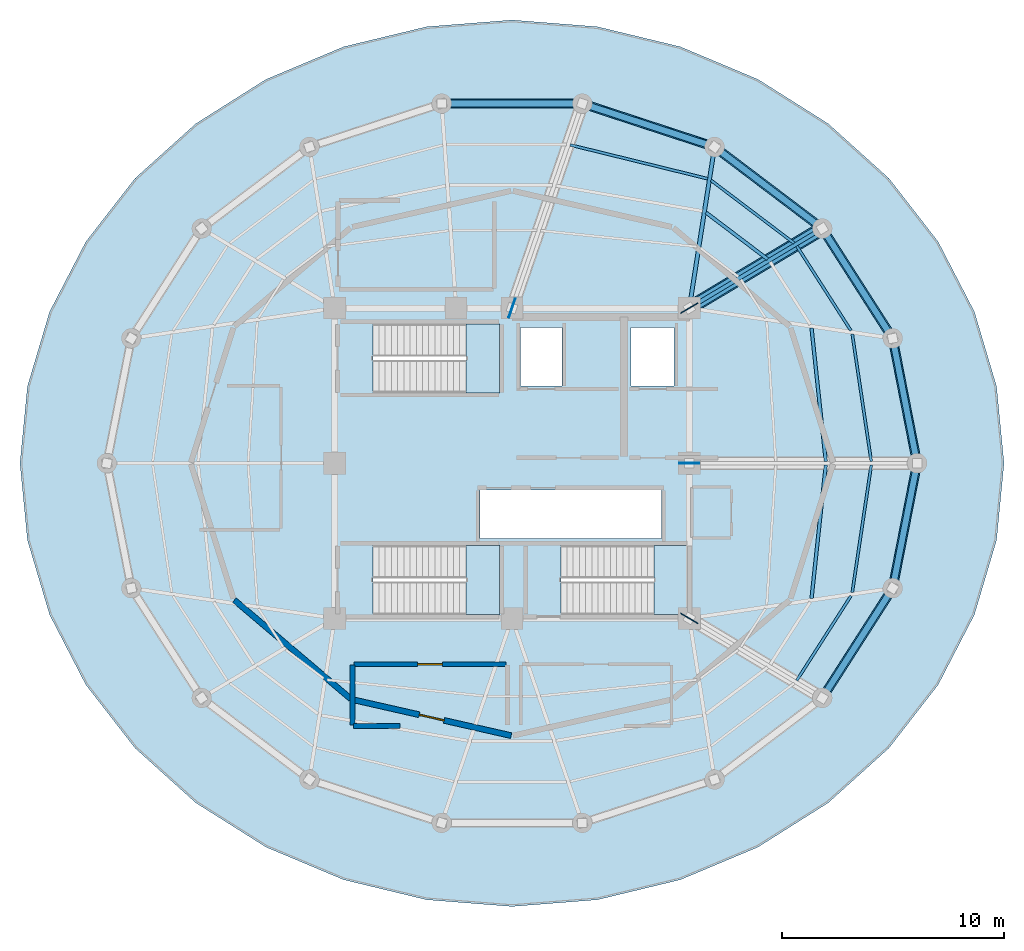
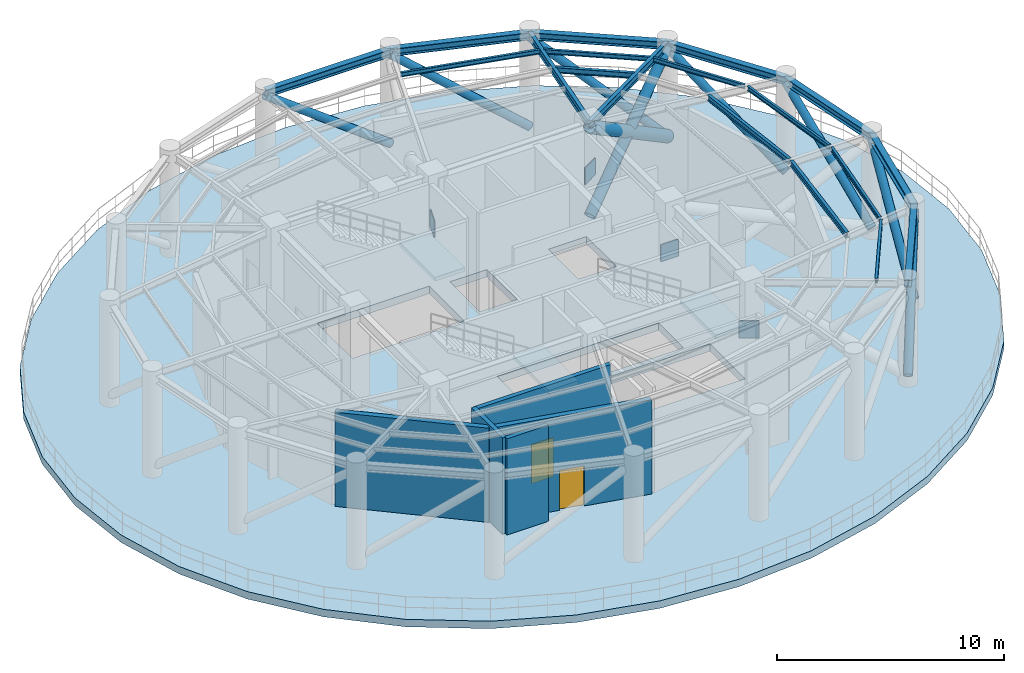
# One storey, part 3 of 8: 18 beams, 9 members, 5 walls, 4 plates, 4 slabs, 2 doors, 2 openings, 3 elements without a shape of their own.
"""IFC4 building model written with IfcOpenShell, lengths in metres."""

from ifc_helpers import new_model, si_unit, direction, frame, frame_2d, origin, origin_2d, place, context, subcontext, project, spatial, polyline, rectangle, hollow_circle, i_section, outline, extrude, source, transform, mapped, material, layer, layer_set, material_profile, profile_set, type_object, element, fill, aggregate, save


model = new_model("IFC4")

# Units and contexts
model_context = context("Model", 3, precision=1e-05, world=origin(), true_north=direction((0.0, 1.0)))
body_context = subcontext(model_context, "Body", "Model", "MODEL_VIEW")
ifc_project = project(units=[si_unit("LENGTHUNIT", "METRE"), si_unit("AREAUNIT", "SQUARE_METRE"), si_unit("VOLUMEUNIT", "CUBIC_METRE"), si_unit("PLANEANGLEUNIT", "RADIAN"), si_unit("MASSUNIT", "GRAM", prefix="KILO")], contexts=[model_context])

# Site, building, storey
site_placement = place(None, origin())
site = spatial("IfcSite", under=ifc_project, at=site_placement, CompositionType="ELEMENT")
building_placement = place(site_placement, origin())
building = spatial("IfcBuilding", under=site, at=building_placement, Name="Kelanora Arch Commons", CompositionType="ELEMENT")
storey_placement = place(building_placement, frame((0.0, 0.0, 242.9599609375)))
storey = spatial("IfcBuildingStorey", under=building, at=storey_placement, Name="L62", CompositionType="ELEMENT", Elevation=242.9599609375)

# Beams
ifc_material_1 = material(Name="Steel S355", Category="steel")
ifc_material_profile_1 = material_profile(ifc_material_1, i_section(OverallWidth=0.14990234375, OverallDepth=0.300048828125, WebThickness=0.007080078125, FlangeThickness=0.0107421875, FilletRadius=0.014892578125, at=origin_2d()), Name="IPE300")
ifc_profile_set_1 = profile_set([ifc_material_profile_1], Name="Steel S355")
beam_type_1 = type_object("IfcBeamType", Name="BM-JST-01", PredefinedType="JOIST", material=ifc_profile_set_1)
beam_1_placement = place(storey_placement, frame((88.158935546875, 58.08447265625, 5.330078125), z_axis=(-0.106380594087, 0.994325484538, 0.0), x_axis=(-0.994325484538, -0.106380594087, 0.0)))
element("IfcBeam", 1, at=beam_1_placement, inside=storey, type_object=beam_type_1, Name="Secondary Chord Joist BJB-00 L62", PredefinedType="JOIST", context=body_context, shape_type="SweptSolid", body=[
    extrude(i_section(OverallWidth=0.14990234375, OverallDepth=0.300048828125, WebThickness=0.007080078125, FlangeThickness=0.0107421875, FilletRadius=0.014892578125, at=origin_2d()), origin(), (0.0, 0.0, 1.0), 6.04736328125),
])
beam_2_placement = place(storey_placement, frame((85.5341796875, 67.20703125, 5.330078125), z_axis=(-0.797499198801, 0.603320004568, 0.0), x_axis=(-0.603320004568, -0.797499198801, 0.0)))
element("IfcBeam", 2, at=beam_2_placement, inside=storey, type_object=beam_type_1, Name="Secondary Chord Joist BJB-04 L62", PredefinedType="JOIST", context=body_context, shape_type="SweptSolid", body=[
    extrude(i_section(OverallWidth=0.14990234375, OverallDepth=0.300048828125, WebThickness=0.007080078125, FlangeThickness=0.0107421875, FilletRadius=0.014892578125, at=origin_2d()), origin(), (0.0, 0.0, 1.0), 3.489013671875),
])
beam_3_placement = place(storey_placement, frame((87.515625, 51.902587890625, 5.330078125), z_axis=(0.106380594087, 0.994325484538, 0.0), x_axis=(-0.994325484538, 0.106380594087, 0.0)))
element("IfcBeam", 3, at=beam_3_placement, inside=storey, type_object=beam_type_1, Name="Secondary Chord Joist BJB-34 L62", PredefinedType="JOIST", context=body_context, shape_type="SweptSolid", body=[
    extrude(i_section(OverallWidth=0.14990234375, OverallDepth=0.300048828125, WebThickness=0.007080078125, FlangeThickness=0.0107421875, FilletRadius=0.014892578125, at=origin_2d()), origin(), (0.0, 0.0, 1.0), 6.04736328125),
])
ifc_material_profile_2 = material_profile(ifc_material_1, i_section(OverallWidth=0.1201171875, OverallDepth=0.239990234375, WebThickness=0.006103515625, FlangeThickness=0.009765625, FilletRadius=0.014892578125, at=origin_2d()), Name="IPE240")
ifc_profile_set_2 = profile_set([ifc_material_profile_2], Name="Steel S355")
beam_type_2 = type_object("IfcBeamType", Name="BM-JST-02", PredefinedType="JOIST", material=ifc_profile_set_2)
beam_4_placement = place(storey_placement, frame((90.21142578125, 58.083984375, 5.360107421875), z_axis=(-0.14762470282, 0.989043450571, 0.0), x_axis=(-0.989043450571, -0.14762470282, 0.0)))
element("IfcBeam", 4, at=beam_4_placement, inside=storey, type_object=beam_type_2, Name="Secondary Chord Joist BJC-00 L62", PredefinedType="JOIST", context=body_context, shape_type="SweptSolid", body=[
    extrude(i_section(OverallWidth=0.1201171875, OverallDepth=0.239990234375, WebThickness=0.006103515625, FlangeThickness=0.009765625, FilletRadius=0.014892578125, at=origin_2d()), origin(), (0.0, 0.0, 1.0), 5.804931640625),
])
beam_5_placement = place(storey_placement, frame((89.296142578125, 63.980712890625, 5.360107421875), z_axis=(-0.539288735289, 0.842120929552, 0.0), x_axis=(-0.842120929552, -0.539288735289, 0.0)))
element("IfcBeam", 5, at=beam_5_placement, inside=storey, type_object=beam_type_2, Name="Secondary Chord Joist BJC-02 L62", PredefinedType="JOIST", context=body_context, shape_type="SweptSolid", body=[
    extrude(i_section(OverallWidth=0.1201171875, OverallDepth=0.239990234375, WebThickness=0.006103515625, FlangeThickness=0.009765625, FilletRadius=0.014892578125, at=origin_2d()), origin(), (0.0, 0.0, 1.0), 4.538818359375),
])
beam_6_placement = place(storey_placement, frame((86.73486328125, 67.92578125, 5.360107421875), z_axis=(-0.79752302984, 0.60328850219, 0.0), x_axis=(-0.60328850219, -0.79752302984, 0.0)))
element("IfcBeam", 6, at=beam_6_placement, inside=storey, type_object=beam_type_2, Name="Secondary Chord Joist BJC-04 L62", PredefinedType="JOIST", context=body_context, shape_type="SweptSolid", body=[
    extrude(i_section(OverallWidth=0.1201171875, OverallDepth=0.239990234375, WebThickness=0.006103515625, FlangeThickness=0.009765625, FilletRadius=0.014892578125, at=origin_2d()), origin(), (0.0, 0.0, 1.0), 4.70849609375),
])
beam_7_placement = place(storey_placement, frame((82.82958984375, 70.837890625, 5.360107421875), z_axis=(-0.971109719488, 0.23863342749, 0.0), x_axis=(-0.23863342749, -0.971109719488, 0.0)))
element("IfcBeam", 7, at=beam_7_placement, inside=storey, type_object=beam_type_2, Name="Secondary Chord Joist BJC-06 L62", PredefinedType="JOIST", context=body_context, shape_type="SweptSolid", body=[
    extrude(i_section(OverallWidth=0.1201171875, OverallDepth=0.239990234375, WebThickness=0.006103515625, FlangeThickness=0.009765625, FilletRadius=0.014892578125, at=origin_2d()), origin(), (0.0, 0.0, 1.0), 6.39208984375),
])
beam_8_placement = place(storey_placement, frame((86.848388671875, 48.197021484375, 5.360107421875), z_axis=(0.539288735289, 0.842120929552, 0.0), x_axis=(-0.842120929552, 0.539288735289, 0.0)))
element("IfcBeam", 8, at=beam_8_placement, inside=storey, type_object=beam_type_2, Name="Secondary Chord Joist BJC-32 L62", PredefinedType="JOIST", context=body_context, shape_type="SweptSolid", body=[
    extrude(i_section(OverallWidth=0.1201171875, OverallDepth=0.239990234375, WebThickness=0.006103515625, FlangeThickness=0.009765625, FilletRadius=0.014892578125, at=origin_2d()), origin(), (0.0, 0.0, 1.0), 4.538818359375),
])
beam_9_placement = place(storey_placement, frame((89.3544921875, 52.1748046875, 5.360107421875), z_axis=(0.14762470282, 0.989043450571, 0.0), x_axis=(-0.989043450571, 0.14762470282, 0.0)))
element("IfcBeam", 9, at=beam_9_placement, inside=storey, type_object=beam_type_2, Name="Secondary Chord Joist BJC-34 L62", PredefinedType="JOIST", context=body_context, shape_type="SweptSolid", body=[
    extrude(i_section(OverallWidth=0.1201171875, OverallDepth=0.239990234375, WebThickness=0.006103515625, FlangeThickness=0.009765625, FilletRadius=0.014892578125, at=origin_2d()), origin(), (0.0, 0.0, 1.0), 5.804931640625),
])
ifc_material_profile_3 = material_profile(ifc_material_1, i_section(OverallWidth=0.179931640625, OverallDepth=0.39990234375, WebThickness=0.008544921875, FlangeThickness=0.013427734375, FilletRadius=0.02099609375, at=origin_2d()), Name="IPE400")
ifc_profile_set_3 = profile_set([ifc_material_profile_3], Name="Steel S355")
beam_type_3 = type_object("IfcBeamType", Name="BM-RAD-Z5", PredefinedType="BEAM", material=ifc_profile_set_3)
beam_10_placement = place(storey_placement, frame((82.0, 65.0, 5.280029296875), z_axis=(0.858062005744, 0.513546097541, 0.0), x_axis=(-0.513546097541, 0.858062005744, 0.0)))
element("IfcBeam", 10, at=beam_10_placement, inside=storey, type_object=beam_type_3, Name="Radial Floor Girder BR-04 L62", PredefinedType="BEAM", context=body_context, shape_type="SweptSolid", body=[
    extrude(i_section(OverallWidth=0.179931640625, OverallDepth=0.39990234375, WebThickness=0.008544921875, FlangeThickness=0.013427734375, FilletRadius=0.02099609375, at=origin_2d()), origin(), (0.0, 0.0, 1.0), 6.99658203125),
])
beam_11_placement = place(storey_placement, frame((82.0, 65.0, 5.280029296875), z_axis=(0.154855424129, 0.987937142544, 0.0), x_axis=(-0.987937142544, 0.154855424129, 0.0)))
element("IfcBeam", 11, at=beam_11_placement, inside=storey, type_object=beam_type_3, Name="Radial Floor Girder BR-06 L62", PredefinedType="BEAM", context=body_context, shape_type="SweptSolid", body=[
    extrude(i_section(OverallWidth=0.179931640625, OverallDepth=0.39990234375, WebThickness=0.008544921875, FlangeThickness=0.013427734375, FilletRadius=0.02099609375, at=origin_2d()), origin(), (0.0, 0.0, 1.0), 7.361083984375),
])
ifc_material_profile_4 = material_profile(ifc_material_1, i_section(OverallWidth=0.300048828125, OverallDepth=0.39990234375, WebThickness=0.013427734375, FlangeThickness=0.02392578125, FilletRadius=0.027099609375, at=origin_2d()), Name="HEB400")
ifc_profile_set_4 = profile_set([ifc_material_profile_4], Name="Steel S355")
beam_type_4 = type_object("IfcBeamType", Name="BM-SPN-Z4", PredefinedType="SPANDREL", material=ifc_profile_set_4)
beam_12_placement = place(storey_placement, frame((92.280029296875, 58.0, 5.280029296875), z_axis=(-0.191969774604, 0.981400838413, 0.0), x_axis=(-0.981400838413, -0.191969774604, 0.0)))
element("IfcBeam", 12, at=beam_12_placement, inside=storey, type_object=beam_type_4, Name="Perimeter Spandrel Beam BS-00 L62", PredefinedType="SPANDREL", context=body_context, shape_type="SweptSolid", body=[
    extrude(i_section(OverallWidth=0.300048828125, OverallDepth=0.39990234375, WebThickness=0.013427734375, FlangeThickness=0.02392578125, FilletRadius=0.027099609375, at=origin_2d()), origin(), (0.0, 0.0, 1.0), 5.743408203125),
])
beam_13_placement = place(storey_placement, frame((91.177490234375, 63.636474609375, 5.280029296875), z_axis=(-0.539280851353, 0.842125978322, 0.0), x_axis=(-0.842125978322, -0.539280851353, 0.0)))
element("IfcBeam", 13, at=beam_13_placement, inside=storey, type_object=beam_type_4, Name="Perimeter Spandrel Beam BS-02 L62", PredefinedType="SPANDREL", context=body_context, shape_type="SweptSolid", body=[
    extrude(i_section(OverallWidth=0.300048828125, OverallDepth=0.39990234375, WebThickness=0.013427734375, FlangeThickness=0.02392578125, FilletRadius=0.027099609375, at=origin_2d()), origin(), (0.0, 0.0, 1.0), 5.8857421875),
])
beam_14_placement = place(storey_placement, frame((88.00341796875, 68.593017578125, 5.280029296875), z_axis=(-0.797509460967, 0.603306439273, 0.0), x_axis=(-0.603306439273, -0.797509460967, 0.0)))
element("IfcBeam", 14, at=beam_14_placement, inside=storey, type_object=beam_type_4, Name="Perimeter Spandrel Beam BS-04 L62", PredefinedType="SPANDREL", context=body_context, shape_type="SweptSolid", body=[
    extrude(i_section(OverallWidth=0.300048828125, OverallDepth=0.39990234375, WebThickness=0.013427734375, FlangeThickness=0.02392578125, FilletRadius=0.027099609375, at=origin_2d()), origin(), (0.0, 0.0, 1.0), 6.098388671875),
])
beam_15_placement = place(storey_placement, frame((83.139892578125, 72.272216796875, 5.280029296875), z_axis=(-0.950165923039, 0.311744636996, 0.0), x_axis=(-0.311744636996, -0.950165923039, 0.0)))
element("IfcBeam", 15, at=beam_15_placement, inside=storey, type_object=beam_type_4, Name="Perimeter Spandrel Beam BS-06 L62", PredefinedType="SPANDREL", context=body_context, shape_type="SweptSolid", body=[
    extrude(i_section(OverallWidth=0.300048828125, OverallDepth=0.39990234375, WebThickness=0.013427734375, FlangeThickness=0.02392578125, FilletRadius=0.027099609375, at=origin_2d()), origin(), (0.0, 0.0, 1.0), 6.278564453125),
])
beam_16_placement = place(storey_placement, frame((77.17431640625, 74.2294921875, 5.280029296875), z_axis=(-1.0, 0.0, 0.0), x_axis=(0.0, -1.0, 0.0)))
element("IfcBeam", 16, at=beam_16_placement, inside=storey, type_object=beam_type_4, Name="Perimeter Spandrel Beam BS-08 L62", PredefinedType="SPANDREL", context=body_context, shape_type="SweptSolid", body=[
    extrude(i_section(OverallWidth=0.300048828125, OverallDepth=0.39990234375, WebThickness=0.013427734375, FlangeThickness=0.02392578125, FilletRadius=0.027099609375, at=origin_2d()), origin(), (0.0, 0.0, 1.0), 6.3486328125),
])
beam_17_placement = place(storey_placement, frame((88.00341796875, 47.406982421875, 5.280029296875), z_axis=(0.539280851353, 0.842125978322, 0.0), x_axis=(-0.842125978322, 0.539280851353, 0.0)))
element("IfcBeam", 17, at=beam_17_placement, inside=storey, type_object=beam_type_4, Name="Perimeter Spandrel Beam BS-32 L62", PredefinedType="SPANDREL", context=body_context, shape_type="SweptSolid", body=[
    extrude(i_section(OverallWidth=0.300048828125, OverallDepth=0.39990234375, WebThickness=0.013427734375, FlangeThickness=0.02392578125, FilletRadius=0.027099609375, at=origin_2d()), origin(), (0.0, 0.0, 1.0), 5.8857421875),
])
beam_18_placement = place(storey_placement, frame((91.177490234375, 52.363525390625, 5.280029296875), z_axis=(0.191969774604, 0.981400838413, 0.0), x_axis=(-0.981400838413, 0.191969774604, 0.0)))
element("IfcBeam", 18, at=beam_18_placement, inside=storey, type_object=beam_type_4, Name="Perimeter Spandrel Beam BS-34 L62", PredefinedType="SPANDREL", context=body_context, shape_type="SweptSolid", body=[
    extrude(i_section(OverallWidth=0.300048828125, OverallDepth=0.39990234375, WebThickness=0.013427734375, FlangeThickness=0.02392578125, FilletRadius=0.027099609375, at=origin_2d()), origin(), (0.0, 0.0, 1.0), 5.743408203125),
])

# Members
ifc_material_profile_5 = material_profile(ifc_material_1, hollow_circle(Radius=0.203125, WallThickness=0.02001953125, at=origin_2d()), Name="CHS406.4x20")
ifc_profile_set_5 = profile_set([ifc_material_profile_5], Name="Steel S355")
member_type_1 = type_object("IfcMemberType", Name="MEM-BELT-DIAG", PredefinedType="BRACE", material=ifc_profile_set_5)
member_1_placement = place(storey_placement, frame((92.280029296875, 58.0, 0.35009765625), z_axis=(-0.147551678196, 0.754323648033, 0.639706445395), x_axis=(-0.981400838413, -0.191969774604, 0.0)))
element("IfcMember", 19, at=member_1_placement, inside=storey, type_object=member_type_1, Name="Belt Truss Diagonal MB-00 L62", PredefinedType="BRACE", context=body_context, shape_type="SweptSolid", body=[
    extrude(hollow_circle(Radius=0.203125, WallThickness=0.02001953125, at=origin_2d()), origin(), (0.0, 0.0, 1.0), 7.47216796875),
])
member_2_placement = place(storey_placement, frame((91.177490234375, 63.636474609375, 0.35009765625), z_axis=(-0.418617989209, 0.653702208824, 0.630422399102), x_axis=(-0.842125978322, -0.539280851353, 0.0)))
element("IfcMember", 20, at=member_2_placement, inside=storey, type_object=member_type_1, Name="Belt Truss Diagonal MB-02 L62", PredefinedType="BRACE", context=body_context, shape_type="SweptSolid", body=[
    extrude(hollow_circle(Radius=0.203125, WallThickness=0.02001953125, at=origin_2d()), origin(), (0.0, 0.0, 1.0), 7.582275390625),
])
member_3_placement = place(storey_placement, frame((88.00341796875, 68.593017578125, 0.35009765625), z_axis=(-0.627674120976, 0.474828020838, 0.61689832913), x_axis=(-0.603306439273, -0.797509460967, 0.0)))
element("IfcMember", 21, at=member_3_placement, inside=storey, type_object=member_type_1, Name="Belt Truss Diagonal MB-04 L62", PredefinedType="BRACE", context=body_context, shape_type="SweptSolid", body=[
    extrude(hollow_circle(Radius=0.203125, WallThickness=0.02001953125, at=origin_2d()), origin(), (0.0, 0.0, 1.0), 7.74853515625),
])
member_4_placement = place(storey_placement, frame((83.139892578125, 72.272216796875, 0.35009765625), z_axis=(-0.755998549008, 0.248039302943, 0.605757953388), x_axis=(-0.311744636996, -0.950165923039, 0.0)))
element("IfcMember", 22, at=member_4_placement, inside=storey, type_object=member_type_1, Name="Belt Truss Diagonal MB-06 L62", PredefinedType="BRACE", context=body_context, shape_type="SweptSolid", body=[
    extrude(hollow_circle(Radius=0.203125, WallThickness=0.02001953125, at=origin_2d()), origin(), (0.0, 0.0, 1.0), 7.890869140625),
])
member_5_placement = place(storey_placement, frame((77.17431640625, 74.2294921875, 0.35009765625), z_axis=(-0.798877889728, 0.0, 0.601493239616), x_axis=(0.0, -1.0, 0.0)))
element("IfcMember", 23, at=member_5_placement, inside=storey, type_object=member_type_1, Name="Belt Truss Diagonal MB-08 L62", PredefinedType="BRACE", context=body_context, shape_type="SweptSolid", body=[
    extrude(hollow_circle(Radius=0.203125, WallThickness=0.02001953125, at=origin_2d()), origin(), (0.0, 0.0, 1.0), 7.947021484375),
])
member_6_placement = place(storey_placement, frame((88.00341796875, 47.406982421875, 0.35009765625), z_axis=(0.418617989209, 0.653702208824, 0.630422399102), x_axis=(-0.842125978322, 0.539280851353, 0.0)))
element("IfcMember", 24, at=member_6_placement, inside=storey, type_object=member_type_1, Name="Belt Truss Diagonal MB-32 L62", PredefinedType="BRACE", context=body_context, shape_type="SweptSolid", body=[
    extrude(hollow_circle(Radius=0.203125, WallThickness=0.02001953125, at=origin_2d()), origin(), (0.0, 0.0, 1.0), 7.582275390625),
])
member_7_placement = place(storey_placement, frame((91.177490234375, 52.363525390625, 0.35009765625), z_axis=(0.147551678196, 0.754323648033, 0.639706445395), x_axis=(-0.981400838413, 0.191969774604, 0.0)))
element("IfcMember", 25, at=member_7_placement, inside=storey, type_object=member_type_1, Name="Belt Truss Diagonal MB-34 L62", PredefinedType="BRACE", context=body_context, shape_type="SweptSolid", body=[
    extrude(hollow_circle(Radius=0.203125, WallThickness=0.02001953125, at=origin_2d()), origin(), (0.0, 0.0, 1.0), 7.47216796875),
])
ifc_material_profile_6 = material_profile(ifc_material_1, hollow_circle(Radius=0.304931640625, WallThickness=0.030029296875, at=origin_2d()), Name="CHS610x30")
ifc_profile_set_6 = profile_set([ifc_material_profile_6], Name="Steel S355")
member_type_2 = type_object("IfcMemberType", Name="MEM-OUT-CHORD", PredefinedType="CHORD", material=ifc_profile_set_6)
member_8_placement = place(storey_placement, frame((82.0, 65.0, 5.130126953125), z_axis=(0.708496849076, 0.424032050746, -0.564117926314), x_axis=(-0.513546097541, 0.858062005744, 0.0)))
element("IfcMember", 26, at=member_8_placement, inside=storey, type_object=member_type_2, Name="Outrigger Counter-Brace MO-04B L62", PredefinedType="CHORD", context=body_context, shape_type="SweptSolid", body=[
    extrude(hollow_circle(Radius=0.304931640625, WallThickness=0.030029296875, at=origin_2d()), origin(), (0.0, 0.0, 1.0), 8.473388671875),
])
ifc_material_profile_7 = material_profile(ifc_material_1, hollow_circle(Radius=0.25390625, WallThickness=0.02490234375, at=origin_2d()), Name="CHS508x25")
ifc_profile_set_7 = profile_set([ifc_material_profile_7], Name="Steel S355")
member_type_3 = type_object("IfcMemberType", Name="MEM-OUT-DIAG", PredefinedType="BRACE", material=ifc_profile_set_7)
member_9_placement = place(storey_placement, frame((82.0, 65.0, 0.35009765625), z_axis=(0.708496849076, 0.424032050746, 0.564117926314), x_axis=(-0.513546097541, 0.858062005744, 0.0)))
element("IfcMember", 27, at=member_9_placement, inside=storey, type_object=member_type_3, Name="Outrigger Diagonal MO-04A L62", PredefinedType="BRACE", context=body_context, shape_type="SweptSolid", body=[
    extrude(hollow_circle(Radius=0.25390625, WallThickness=0.02490234375, at=origin_2d()), origin(), (0.0, 0.0, 1.0), 8.473388671875),
])

# Stair, slab
ifc_material_2 = material(Name="Concrete C40/50", Category="concrete")
stair_type = type_object("IfcStairType", Name="STR-DL-574", PredefinedType="HALF_TURN_STAIR", material=ifc_material_2)
stair_1_placement = place(storey_placement, origin())
stair_1 = element("IfcStair", 28, at=stair_1_placement, inside=storey, type_object=stair_type, Name="L62 ST-T1", PredefinedType="HALF_TURN_STAIR")
ifc_layer_1 = layer(ifc_material_2, 0.199951171875)
ifc_layer_set_1 = layer_set([ifc_layer_1], Name="Concrete C40/50")
slab_type_1 = type_object("IfcSlabType", Name="SLB-STAIR-LND", PredefinedType="LANDING", material=ifc_layer_set_1)
slab_1_placement = place(storey_placement, frame((0.0, 0.0, 2.669921875)))
slab_1 = element("IfcSlab", 29, at=slab_1_placement, type_object=slab_type_1, Name="ST-T1 landing 1", PredefinedType="LANDING", context=body_context, shape_type="SweptSolid", body=[
    extrude(outline(polyline([(71.919921875, 61.179931640625), (73.43994140625, 61.179931640625), (73.43994140625, 64.2900390625), (71.919921875, 64.2900390625), (71.919921875, 61.179931640625)])), origin(), (0.0, 0.0, 1.0), 0.2001953125),
])
aggregate(stair_1, [slab_1])

stair_2_placement = place(storey_placement, origin())
stair_2 = element("IfcStair", 30, at=stair_2_placement, inside=storey, type_object=stair_type, Name="L62 ST-T2", PredefinedType="HALF_TURN_STAIR")
slab_2_placement = place(storey_placement, frame((0.0, 0.0, 2.669921875)))
slab_2 = element("IfcSlab", 31, at=slab_2_placement, type_object=slab_type_1, Name="ST-T2 landing 1", PredefinedType="LANDING", context=body_context, shape_type="SweptSolid", body=[
    extrude(outline(polyline([(80.39990234375, 51.179931640625), (81.919921875, 51.179931640625), (81.919921875, 54.2900390625), (80.39990234375, 54.2900390625), (80.39990234375, 51.179931640625)])), origin(), (0.0, 0.0, 1.0), 0.2001953125),
])
aggregate(stair_2, [slab_2])

stair_3_placement = place(storey_placement, origin())
stair_3 = element("IfcStair", 32, at=stair_3_placement, inside=storey, type_object=stair_type, Name="L62 ST-T3", PredefinedType="HALF_TURN_STAIR")
slab_3_placement = place(storey_placement, frame((0.0, 0.0, 2.669921875)))
slab_3 = element("IfcSlab", 33, at=slab_3_placement, type_object=slab_type_1, Name="ST-T3 landing 1", PredefinedType="LANDING", context=body_context, shape_type="SweptSolid", body=[
    extrude(outline(polyline([(71.919921875, 51.179931640625), (73.43994140625, 51.179931640625), (73.43994140625, 54.2900390625), (71.919921875, 54.2900390625), (71.919921875, 51.179931640625)])), origin(), (0.0, 0.0, 1.0), 0.2001953125),
])
aggregate(stair_3, [slab_3])

# Slab
ifc_material_3 = material(Name="Concrete C50/60", Category="concrete")
ifc_layer_2 = layer(ifc_material_3, 0.39990234375)
ifc_layer_set_2 = layer_set([ifc_layer_2], Name="Concrete C50/60")
slab_type_2 = type_object("IfcSlabType", Name="SLB-TWR-XFER", PredefinedType="FLOOR", material=ifc_layer_set_2)
slab_4_placement = place(storey_placement, frame((0.0, 0.0, -0.39990234375)))
element("IfcSlab", 34, at=slab_4_placement, inside=storey, type_object=slab_type_2, Name="Tower Floor Slab L62", PredefinedType="FLOOR", context=body_context, shape_type="SweptSolid", body=[
    extrude(outline(polyline([(96.199951171875, 58.0), (95.86279296875, 61.472900390625), (94.861083984375, 64.84033203125), (93.225830078125, 68.0), (91.006103515625, 70.855712890625), (88.27001953125, 73.32080078125), (85.10009765625, 75.320556640625), (81.5927734375, 76.7939453125), (77.85498046875, 77.6962890625), (74.0, 78.0), (70.14501953125, 77.6962890625), (66.4072265625, 76.7939453125), (62.89990234375, 75.320556640625), (59.72998046875, 73.32080078125), (56.993896484375, 70.855712890625), (54.774169921875, 68.0), (53.138916015625, 64.84033203125), (52.13720703125, 61.472900390625), (51.800048828125, 58.0), (52.13720703125, 54.527099609375), (53.138916015625, 51.15966796875), (54.774169921875, 48.0), (56.993896484375, 45.144287109375), (59.72998046875, 42.67919921875), (62.89990234375, 40.679443359375), (66.4072265625, 39.2060546875), (70.14501953125, 38.3037109375), (74.0, 38.0), (77.85498046875, 38.3037109375), (81.5927734375, 39.2060546875), (85.10009765625, 40.679443359375), (88.27001953125, 42.67919921875), (91.006103515625, 45.144287109375), (93.225830078125, 48.0), (94.861083984375, 51.15966796875), (95.86279296875, 54.527099609375), (96.199951171875, 58.0)]), holes=[polyline([(73.431884765625, 51.18798828125), (67.72802734375, 51.18798828125), (67.72802734375, 54.281982421875), (73.431884765625, 54.281982421875), (73.431884765625, 51.18798828125)]), polyline([(76.2080078125, 51.18798828125), (76.2080078125, 54.281982421875), (81.912109375, 54.281982421875), (81.912109375, 51.18798828125), (76.2080078125, 51.18798828125)]), polyline([(72.550048828125, 54.60009765625), (72.550048828125, 56.800048828125), (80.75, 56.800048828125), (80.75, 54.60009765625), (72.550048828125, 54.60009765625)]), polyline([(73.431884765625, 61.18798828125), (67.72802734375, 61.18798828125), (67.72802734375, 64.281982421875), (73.431884765625, 64.281982421875), (73.431884765625, 61.18798828125)]), polyline([(74.3798828125, 61.47998046875), (74.3798828125, 64.1201171875), (76.260009765625, 64.1201171875), (76.260009765625, 61.47998046875), (74.3798828125, 61.47998046875)]), polyline([(79.3798828125, 61.47998046875), (79.3798828125, 64.1201171875), (81.320068359375, 64.1201171875), (81.320068359375, 61.47998046875), (79.3798828125, 61.47998046875)])]), origin(), (0.0, 0.0, 1.0), 0.39990234375),
])

# Plates
ifc_layer_3 = layer(ifc_material_1, 0.0400390625)
ifc_layer_set_3 = layer_set([ifc_layer_3], Name="Steel S355")
plate_type = type_object("IfcPlateType", Name="PLT-OUT-GUS", PredefinedType="SHEET", material=ifc_layer_set_3)
shared_shape = source(origin(), body_context, "Body", "SweptSolid", [
    extrude(rectangle(XDim=0.89990234375, YDim=0.0400390625, at=origin_2d()), origin(), (0.0, 0.0, 1.0), 0.89990234375),
])
for number, where, z_axis, x_axis, name in (
    (35, (82.0, 51.0, 2.2900390625), (0.0, 0.0, 1.0), (0.858052367613, -0.513562201134, 0.0), "Outrigger Gusset Plate 32 L62"),
    (36, (82.0, 58.0, 2.2900390625), (0.0, 0.0, 1.0), (1.0, 0.0, 0.0), "Outrigger Gusset Plate 00 L62"),
    (37, (82.0, 65.0, 2.2900390625), (0.0, 0.0, 1.0), (0.858052367613, 0.513562201134, 0.0), "Outrigger Gusset Plate 04 L62"),
    (38, (74.0, 65.0, 2.2900390625), (0.0, 0.0, 1.0), (0.325228662424, 0.945635403915, 0.0), "Outrigger Gusset Plate 08 L62"),
):
    element("IfcPlate", number, at=place(storey_placement, frame(where, z_axis=z_axis, x_axis=x_axis)), inside=storey, type_object=plate_type, Name=name, PredefinedType="SHEET", context=body_context, shape_type="MappedRepresentation", body=[
        mapped(shared_shape, transform((0.0, 0.0, 0.0), scale=1.0)),
    ])

# Wall
ifc_material_4 = material(Name="Precast concrete C40/50 with terracotta rainscreen", Category="masonry")
ifc_layer_4 = layer(ifc_material_4, 0.260009765625)
ifc_layer_set_4 = layer_set([ifc_layer_4], Name="Precast concrete C40/50 with terracotta rainscreen")
wall_type_1 = type_object("IfcWallType", Name="W-EXT-TC", PredefinedType="SOLIDWALL", material=ifc_layer_set_4)
wall_1_placement = place(storey_placement, frame((61.47314453125, 51.82421875, 0.0), z_axis=(0.0, 0.0, 1.0), x_axis=(0.762580748943, -0.646893037018, 0.0)))
element("IfcWall", 39, at=wall_1_placement, inside=storey, type_object=wall_type_1, Name="Wind-Floor Plant/Refuge Enclosure Wall L62-08", PredefinedType="SOLIDWALL", context=body_context, shape_type="SweptSolid", body=[
    extrude(rectangle(XDim=6.879638671875, YDim=0.260009765625, at=frame_2d((3.43994140625, 0.0))), origin(), (0.0, 0.0, 1.0), 5.06005859375),
])

# Wall, opening, door
wall_2_placement = place(storey_placement, frame((66.7890625, 47.339111328125, 0.0), z_axis=(0.0, 0.0, 1.0), x_axis=(0.975128290494, -0.221641189938, 0.0)))
wall_2 = element("IfcWall", 40, at=wall_2_placement, inside=storey, type_object=wall_type_1, Name="Wind-Floor Plant/Refuge Enclosure Wall L62-09", PredefinedType="SOLIDWALL", context=body_context, shape_type="SweptSolid", body=[
    extrude(rectangle(XDim=7.354736328125, YDim=0.260009765625, at=frame_2d((3.67724609375, 0.0))), origin(), (0.0, 0.0, 1.0), 5.06005859375),
])
opening_1_placement = place(wall_2_placement, frame((3.10205078125, 0.0, 0.0)))
opening_1 = element("IfcOpeningElement", 41, at=opening_1_placement, cuts=wall_2, Name="Opening DT-01", PredefinedType="OPENING", context=body_context, shape_type="SweptSolid", body=[
    extrude(rectangle(XDim=1.14990234375, YDim=2.14990234375, at=frame_2d((0.574951171875, 1.074951171875))), frame((0.0, 0.14013671875, 0.0), z_axis=(0.0, -1.0, 0.0), x_axis=(1.0, 0.0, 0.0)), (0.0, 0.0, 1.0), 0.280029296875),
])
ifc_material_5 = material(Name="Weather-sealed aluminium terrace door", Category="aluminium")
door_type_1 = type_object("IfcDoorType", Name="D-TERR-12", OperationType="NOTDEFINED", PredefinedType="DOOR", material=ifc_material_5)
door_1_placement = place(opening_1_placement, frame((1.14990234375, 0.0, 0.0), z_axis=(0.0, 0.0, 1.0), x_axis=(-1.0, 0.0, 0.0)))
door_1 = element("IfcDoor", 42, at=door_1_placement, inside=storey, type_object=door_type_1, Name="Wind-Floor Deck Maintenance Door L62-08", OperationType="SINGLE_SWING_RIGHT", OverallHeight=2.14990234375, OverallWidth=1.14990234375, PredefinedType="DOOR", context=body_context, shape_type="SweptSolid", body=[
    extrude(rectangle(XDim=1.14990234375, YDim=2.14990234375, at=frame_2d((0.574951171875, 1.074951171875))), frame((0.0, 0.02490234375, 0.0), z_axis=(0.0, -1.0, 0.0), x_axis=(1.0, 0.0, 0.0)), (0.0, 0.0, 1.0), 0.050048828125),
])
fill(opening_1, door_1)

ifc_layer_5 = layer(ifc_material_2, 0.219970703125)
ifc_layer_set_5 = layer_set([ifc_layer_5], Name="Concrete C40/50")
wall_type_2 = type_object("IfcWallType", Name="W-REF-200", PredefinedType="SOLIDWALL", material=ifc_layer_set_5)
wall_3_placement = place(storey_placement, frame((66.860107421875, 48.929931640625, 0.0), z_axis=(0.0, 0.0, 1.0), x_axis=(1.0, 0.0, 0.0)))
wall_3 = element("IfcWall", 43, at=wall_3_placement, inside=storey, type_object=wall_type_2, Name="Protected Fire Refuge Holding Area L62-South Entry Partition", PredefinedType="SOLIDWALL", context=body_context, shape_type="SweptSolid", body=[
    extrude(rectangle(XDim=6.8798828125, YDim=0.219970703125, at=frame_2d((3.43994140625, 0.0))), origin(), (0.0, 0.0, 1.0), 5.06494140625),
])
opening_2_placement = place(wall_3_placement, frame((2.8798828125, 0.0, 0.0)))
opening_2 = element("IfcOpeningElement", 44, at=opening_2_placement, cuts=wall_3, Name="Opening D-REF1", PredefinedType="OPENING", context=body_context, shape_type="SweptSolid", body=[
    extrude(rectangle(XDim=1.1201171875, YDim=2.10009765625, at=frame_2d((0.56005859375, 1.050048828125))), frame((0.0, 0.1201171875, 0.0), z_axis=(0.0, -1.0, 0.0), x_axis=(1.0, 0.0, 0.0)), (0.0, 0.0, 1.0), 0.239990234375),
])
ifc_material_6 = material(Name="Two-hour fire refuge holding room door")
door_type_2 = type_object("IfcDoorType", Name="D-REF-110", OperationType="NOTDEFINED", PredefinedType="DOOR", material=ifc_material_6)
door_2_placement = place(opening_2_placement, origin())
door_2 = element("IfcDoor", 45, at=door_2_placement, inside=storey, type_object=door_type_2, Name="Protected Fire Refuge Holding Area L62-South Door", OperationType="SINGLE_SWING_LEFT", OverallHeight=2.10009765625, OverallWidth=1.1201171875, PredefinedType="DOOR", context=body_context, shape_type="SweptSolid", body=[
    extrude(rectangle(XDim=1.1201171875, YDim=2.10009765625, at=frame_2d((0.56005859375, 1.050048828125))), frame((0.0, 0.02490234375, 0.0), z_axis=(0.0, -1.0, 0.0), x_axis=(1.0, 0.0, 0.0)), (0.0, 0.0, 1.0), 0.050048828125),
])
fill(opening_2, door_2)

# Walls
wall_4_placement = place(storey_placement, frame((66.840087890625, 46.14990234375, 0.0), z_axis=(0.0, 0.0, 1.0), x_axis=(1.0, 0.0, 0.0)))
element("IfcWall", 46, at=wall_4_placement, inside=storey, type_object=wall_type_2, Name="Protected Fire Refuge Holding Area L62-South Enclosure Partition 1", PredefinedType="SOLIDWALL", context=body_context, shape_type="SweptSolid", body=[
    extrude(rectangle(XDim=2.112060546875, YDim=0.219970703125, at=frame_2d((1.05615234375, 0.0))), origin(), (0.0, 0.0, 1.0), 5.1650390625),
])
wall_5_placement = place(storey_placement, frame((66.800048828125, 48.889892578125, 0.0), z_axis=(0.0, 0.0, 1.0), x_axis=(0.0, -1.0, 0.0)))
element("IfcWall", 47, at=wall_5_placement, inside=storey, type_object=wall_type_2, Name="Protected Fire Refuge Holding Area L62-South Enclosure Partition 4", PredefinedType="SOLIDWALL", context=body_context, shape_type="SweptSolid", body=[
    extrude(rectangle(XDim=2.699951171875, YDim=0.219970703125, at=frame_2d((1.35009765625, 0.0))), origin(), (0.0, 0.0, 1.0), 5.1650390625),
])

save(model, "model.ifc")
